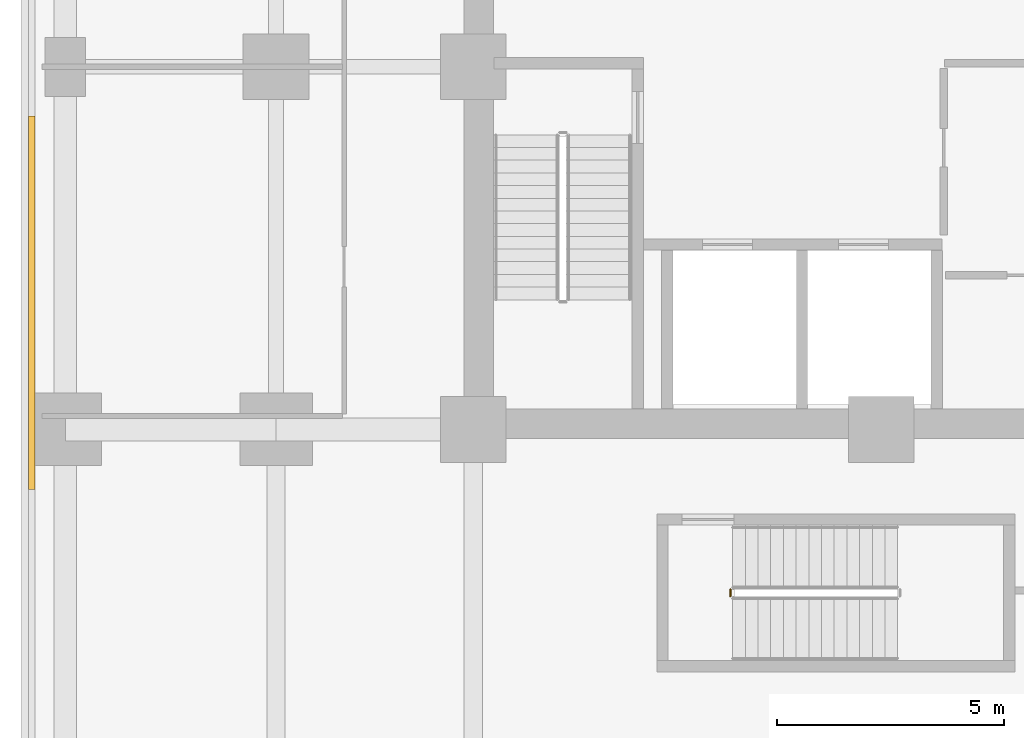
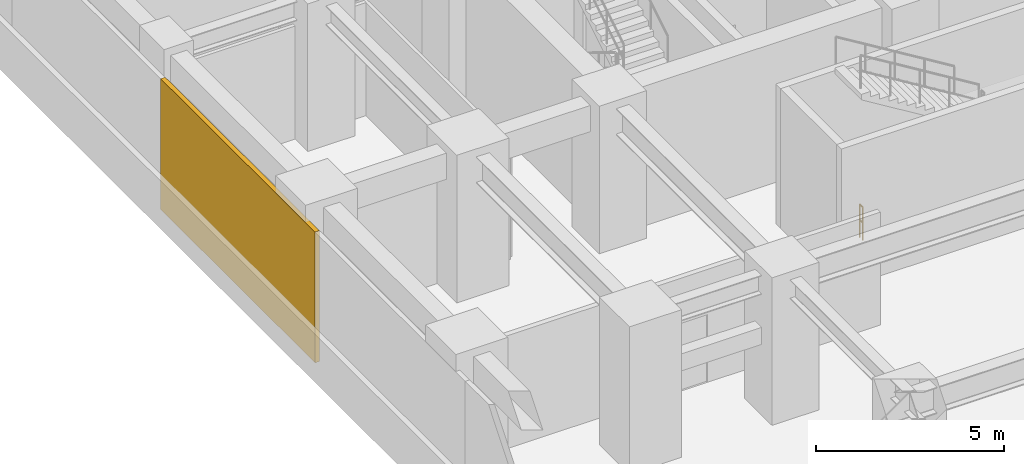
# One storey, part 7 of 12: 1 covering, 1 railing.
"""IFC4 building model written with IfcOpenShell, lengths in metres."""

import ifcopenshell
import ifcopenshell.guid

model = None  # the IFC model being written
_history = None  # IfcOwnerHistory: only IFC2X3 demands one
_inside = {}  # id of a spatial element -> (the spatial element, [elements in it])
_under = {}  # id of a project, library or spatial element -> (it, [spatial elements below it])
_declared = {}  # id of a project -> (the project, [libraries it declares])
_typed = {}  # id of a type object -> (the type object, [elements of that type])
_made_of = {}  # id of a material, layer set ... -> (it, [elements and type objects made of it])


def new_model(schema):
    """Start an empty IFC model of exactly this schema.

    Asked for "IFC4X3", IfcOpenShell would pick the latest addendum, in which some entities
    have other attributes; the version numbers below select the first issue.
    IFC2X3 requires an IfcOwnerHistory on every rooted entity: one is made here for all.
    """
    global model, _history
    if schema == "IFC4X3":
        model = ifcopenshell.file(schema_version=(4, 3, 0, 0))
    else:
        model = ifcopenshell.file(schema=schema)
    _inside.clear()
    _under.clear()
    _declared.clear()
    _typed.clear()
    _made_of.clear()
    _history = None
    if model.schema == "IFC2X3":
        org = make("IfcOrganization", Name="unknown")
        user = make(
            "IfcPersonAndOrganization",
            ThePerson=make("IfcPerson", FamilyName="unknown"),
            TheOrganization=org,
        )
        app = make(
            "IfcApplication",
            ApplicationDeveloper=org,
            Version="unknown",
            ApplicationFullName="unknown",
            ApplicationIdentifier="unknown",
        )
        _history = make(
            "IfcOwnerHistory",
            OwningUser=user,
            OwningApplication=app,
            ChangeAction="ADDED",
            CreationDate=0,
        )
    return model


def make(cls, **values):
    """One entity of the class cls with the attributes given. An attribute that is None is left unset."""
    return model.create_entity(
        cls, **{name: value for name, value in values.items() if value is not None}
    )


def rooted(cls, **values):
    """An entity with a GlobalId (a new one), such as an element, a storey or a relation."""
    return make(cls, GlobalId=ifcopenshell.guid.new(), OwnerHistory=_history, **values)


def si_unit(unit_type, name, prefix=None):
    """IfcSIUnit, for example si_unit("LENGTHUNIT", "METRE", prefix="MILLI")."""
    return make("IfcSIUnit", UnitType=unit_type, Prefix=prefix, Name=name)


def assignment(units):
    """IfcUnitAssignment: the units of a project."""
    return None if units is None else make("IfcUnitAssignment", Units=units)


def point(xyz):
    """IfcCartesianPoint."""
    return None if xyz is None else make("IfcCartesianPoint", Coordinates=xyz)


def direction(xyz):
    """IfcDirection."""
    return None if xyz is None else make("IfcDirection", DirectionRatios=xyz)


def frame(location, z_axis=None, x_axis=None):
    """IfcAxis2Placement3D, a coordinate frame: its origin and axes. An axis left out is left unset."""
    return make(
        "IfcAxis2Placement3D",
        Location=point(location),
        Axis=direction(z_axis),
        RefDirection=direction(x_axis),
    )


def frame_2d(location, x_axis=None):
    """IfcAxis2Placement2D, a coordinate frame in the plane: its origin and x axis."""
    return make(
        "IfcAxis2Placement2D", Location=point(location), RefDirection=direction(x_axis)
    )


def origin():
    """The frame at (0, 0, 0) with its axes left unset."""
    return frame((0.0, 0.0, 0.0))


def origin_2d():
    """The frame at (0, 0) in the plane with its x axis left unset."""
    return frame_2d((0.0, 0.0))


def place(relative_to, where):
    """IfcLocalPlacement: puts the frame where relative to a parent placement (None: the world)."""
    return make(
        "IfcLocalPlacement", PlacementRelTo=relative_to, RelativePlacement=where
    )


def context(
    kind, dimensions, precision=None, world=None, true_north=None, identifier=None
):
    """IfcGeometricRepresentationContext, for example the 3D "Model" context."""
    return make(
        "IfcGeometricRepresentationContext",
        ContextIdentifier=identifier,
        ContextType=kind,
        CoordinateSpaceDimension=dimensions,
        Precision=precision,
        WorldCoordinateSystem=world,
        TrueNorth=true_north,
    )


def subcontext(parent, identifier, kind, view, scale=None):
    """IfcGeometricRepresentationSubContext, for example "Body" below "Model"."""
    return make(
        "IfcGeometricRepresentationSubContext",
        ContextIdentifier=identifier,
        ContextType=kind,
        ParentContext=parent,
        TargetScale=scale,
        TargetView=view,
    )


def project(units=None, contexts=None):
    """IfcProject with its units and contexts."""
    return rooted(
        "IfcProject",
        Name="project",
        RepresentationContexts=contexts,
        UnitsInContext=assignment(units),
    )


def spatial(cls, under=None, at=None, **own):
    """A site, building, storey or space (cls), placed at a placement, below another one or the project."""
    s = rooted(cls, ObjectPlacement=at, **own)
    if under is not None:
        _under.setdefault(under.id(), (under, []))[1].append(s)
    return s


def profile(cls, at=None, kind="AREA", **sizes):
    """A parametric profile (cls). Its sizes go by their IFC names, for example OverallWidth=200.0."""
    return make(cls, ProfileType=kind, Position=at, **sizes)


def rectangle(**sizes):
    """IfcRectangleProfileDef."""
    return profile("IfcRectangleProfileDef", **sizes)


def circle(**sizes):
    """IfcCircleProfileDef."""
    return profile("IfcCircleProfileDef", **sizes)


def extrude(swept, where, along, depth):
    """IfcExtrudedAreaSolid: the profile swept, set in the frame where, extruded along a direction by depth."""
    return make(
        "IfcExtrudedAreaSolid",
        SweptArea=swept,
        Position=where,
        ExtrudedDirection=direction(along),
        Depth=depth,
    )


def shape(context_of_items, identifier, shape_type, items):
    """IfcShapeRepresentation: the items that make up one representation, for example the "Body"."""
    return make(
        "IfcShapeRepresentation",
        ContextOfItems=context_of_items,
        RepresentationIdentifier=identifier,
        RepresentationType=shape_type,
        Items=items,
    )


def source(mapping_origin, context_of_items, identifier, shape_type, items):
    """IfcRepresentationMap: a shape defined once, which mapped items show again and again."""
    return make(
        "IfcRepresentationMap",
        MappingOrigin=mapping_origin,
        MappedRepresentation=shape(context_of_items, identifier, shape_type, items),
    )


def transform(
    local_origin,
    x_axis=None,
    y_axis=None,
    z_axis=None,
    scale=None,
    scale2=None,
    scale3=None,
    uniform=True,
):
    """IfcCartesianTransformationOperator3D, or its non-uniform kind. x_axis, y_axis, z_axis: its Axis1, 2, 3."""
    if uniform:
        return make(
            "IfcCartesianTransformationOperator3D",
            Axis1=direction(x_axis),
            Axis2=direction(y_axis),
            LocalOrigin=point(local_origin),
            Scale=scale,
            Axis3=direction(z_axis),
        )
    return make(
        "IfcCartesianTransformationOperator3DnonUniform",
        Axis1=direction(x_axis),
        Axis2=direction(y_axis),
        LocalOrigin=point(local_origin),
        Scale=scale,
        Axis3=direction(z_axis),
        Scale2=scale2,
        Scale3=scale3,
    )


def mapped(mapping_source, mapping_target):
    """IfcMappedItem: shows the shape of a source again, moved by a transform."""
    return make(
        "IfcMappedItem", MappingSource=mapping_source, MappingTarget=mapping_target
    )


def material(Name=None, Category=None):
    """IfcMaterial."""
    return make("IfcMaterial", Name=Name, Category=Category)


def layer(
    of_material, thickness, ventilated=None, Name=None, Category=None, Priority=None
):
    """IfcMaterialLayer: one layer of a wall or slab, of a material (None: an air gap)."""
    return make(
        "IfcMaterialLayer",
        Material=of_material,
        LayerThickness=thickness,
        IsVentilated=ventilated,
        Name=Name,
        Category=Category,
        Priority=Priority,
    )


def layer_set(layers, Name=None):
    """IfcMaterialLayerSet."""
    return make("IfcMaterialLayerSet", MaterialLayers=layers, LayerSetName=Name)


def made_of(thing, what):
    """Note that an element or type object is made of a material, layer set ...; save() writes the relation."""
    if what is not None:
        _made_of.setdefault(what.id(), (what, []))[1].append(thing)
    return thing


def type_object(cls, material=None, **own):
    """A type object (cls), such as IfcWallType, which elements share."""
    return made_of(rooted(cls, **own), material)


def element(
    cls,
    number,
    at=None,
    inside=None,
    cuts=None,
    type_object=None,
    material=None,
    context=None,
    identifier="Body",
    shape_type=None,
    held_by="IfcProductDefinitionShape",
    body=None,
    shapes=None,
    **own,
):
    """One element of the class cls, such as IfcWall. Its Tag is "e" and its number.

    at: its placement. inside: the storey or other place that contains it. cuts: it is an
    opening in that element (IfcRelVoidsElement). A single representation is given by context,
    identifier, shape_type and body (its items); several are given by shapes. held_by: the class
    of the entity that holds the representations. save() writes the other relations.
    """
    e = rooted(cls, Tag="e%d" % number, ObjectPlacement=at, **own)
    if body is not None:
        shapes = [shape(context, identifier, shape_type, body)]
    if shapes is not None:
        e.Representation = make(held_by, Representations=shapes)
    if inside is not None:
        _inside.setdefault(inside.id(), (inside, []))[1].append(e)
    if cuts is not None:
        rooted(
            "IfcRelVoidsElement", RelatingBuildingElement=cuts, RelatedOpeningElement=e
        )
    if type_object is not None:
        _typed.setdefault(type_object.id(), (type_object, []))[1].append(e)
    return made_of(e, material)


def aggregate(whole, parts):
    """IfcRelAggregates: a whole, such as a stair, and the parts it consists of."""
    return rooted("IfcRelAggregates", RelatingObject=whole, RelatedObjects=parts)


def save(model, path):
    """Write the relations noted so far, then the file.

    IfcRelAggregates (storeys below a building ...), IfcRelContainedInSpatialStructure (elements
    in a storey), IfcRelDefinesByType, IfcRelAssociatesMaterial and IfcRelDeclares: one each for
    every whole, place, type object, material and project.
    """
    for whole, parts in _under.values():
        aggregate(whole, parts)
    for where, things in _inside.values():
        rooted(
            "IfcRelContainedInSpatialStructure",
            RelatedElements=things,
            RelatingStructure=where,
        )
    for kind, things in _typed.values():
        rooted("IfcRelDefinesByType", RelatedObjects=things, RelatingType=kind)
    for what, things in _made_of.values():
        rooted("IfcRelAssociatesMaterial", RelatedObjects=things, RelatingMaterial=what)
    for by, libraries in _declared.values():
        rooted("IfcRelDeclares", RelatingContext=by, RelatedDefinitions=libraries)
    model.write(path)


model = new_model("IFC4")

# Units and contexts
model_context = context("Model", 3, precision=1e-05, world=origin(), true_north=direction((0.0, 1.0)))
body_context = subcontext(model_context, "Body", "Model", "MODEL_VIEW")
ifc_project = project(units=[si_unit("LENGTHUNIT", "METRE"), si_unit("AREAUNIT", "SQUARE_METRE"), si_unit("VOLUMEUNIT", "CUBIC_METRE"), si_unit("PLANEANGLEUNIT", "RADIAN"), si_unit("MASSUNIT", "GRAM", prefix="KILO")], contexts=[model_context])

# Site, building, storey
site_placement = place(None, origin())
site = spatial("IfcSite", under=ifc_project, at=site_placement, CompositionType="ELEMENT")
building_placement = place(site_placement, origin())
building = spatial("IfcBuilding", under=site, at=building_placement, Name="Torre Montelarca", CompositionType="ELEMENT")
storey_placement = place(building_placement, frame((0.0, 0.0, 17.39990234375)))
storey = spatial("IfcBuildingStorey", under=building, at=storey_placement, Name="L04", CompositionType="ELEMENT", Elevation=17.39990234375)

# Railing
ifc_material_1 = material(Name="Powder-coated steel ASTM A500 Grade C", Category="steel")
railing_type = type_object("IfcRailingType", Name="RL-GUARD-1100", PredefinedType="BALUSTRADE", material=ifc_material_1)
railing_placement = place(storey_placement, frame((14.669921875, 20.320068359375, 0.0)))
element("IfcRailing", 1, at=railing_placement, inside=storey, type_object=railing_type, Name="L04 ST3 stair guard 4", PredefinedType="BALUSTRADE", context=body_context, shape_type="SweptSolid", body=[
    extrude(circle(Radius=0.02392578125, at=origin_2d()), frame((0.0, 0.0, 1.076171875), z_axis=(0.0, 1.0, 0.0), x_axis=(-1.0, 0.0, 0.0)), (0.0, 0.0, 1.0), 0.14990234375),
    extrude(circle(Radius=0.02099609375, at=origin_2d()), frame((0.0, 0.0, 0.572021484375), z_axis=(0.0, 1.0, 0.0), x_axis=(-1.0, 0.0, 0.0)), (0.0, 0.0, 1.0), 0.14990234375),
    extrude(circle(Radius=0.02099609375, at=origin_2d()), origin(), (0.0, 0.0, 1.0), 1.052001953125),
    extrude(circle(Radius=0.02099609375, at=origin_2d()), frame((0.0, 0.14990234375, 0.0)), (0.0, 0.0, 1.0), 1.052001953125),
])

# Covering
ifc_material_2 = material(Name="Bush-hammered warm white precast concrete C45/55", Category="concrete")
ifc_layer = layer(ifc_material_2, 0.139892578125, Name="Bush-hammered warm white precast concrete C45/55", Category="concrete")
ifc_layer_set = layer_set([ifc_layer], Name="Bush-hammered warm white precast concrete C45/55")
covering_type = type_object("IfcCoveringType", Name="COV-TRAY-CLAD", PredefinedType="CLADDING", material=ifc_layer_set)
shared_shape = source(origin(), body_context, "Body", "SweptSolid", [
    extrude(rectangle(XDim=8.22998046875, YDim=0.139892578125, at=origin_2d()), origin(), (0.0, 0.0, 1.0), 4.25),
])
covering_placement = place(storey_placement, frame((-0.739990234375, 26.794921875, 0.0), z_axis=(0.0, 0.0, 1.0), x_axis=(0.0, -1.0, 0.0)))
element("IfcCovering", 2, at=covering_placement, inside=storey, type_object=covering_type, Name="L04 Architectural Column Pier Cladding E10-5", PredefinedType="CLADDING", context=body_context, shape_type="MappedRepresentation", body=[
    mapped(shared_shape, transform((0.0, 0.0, 0.0), scale=1.0)),
])

save(model, "model.ifc")
